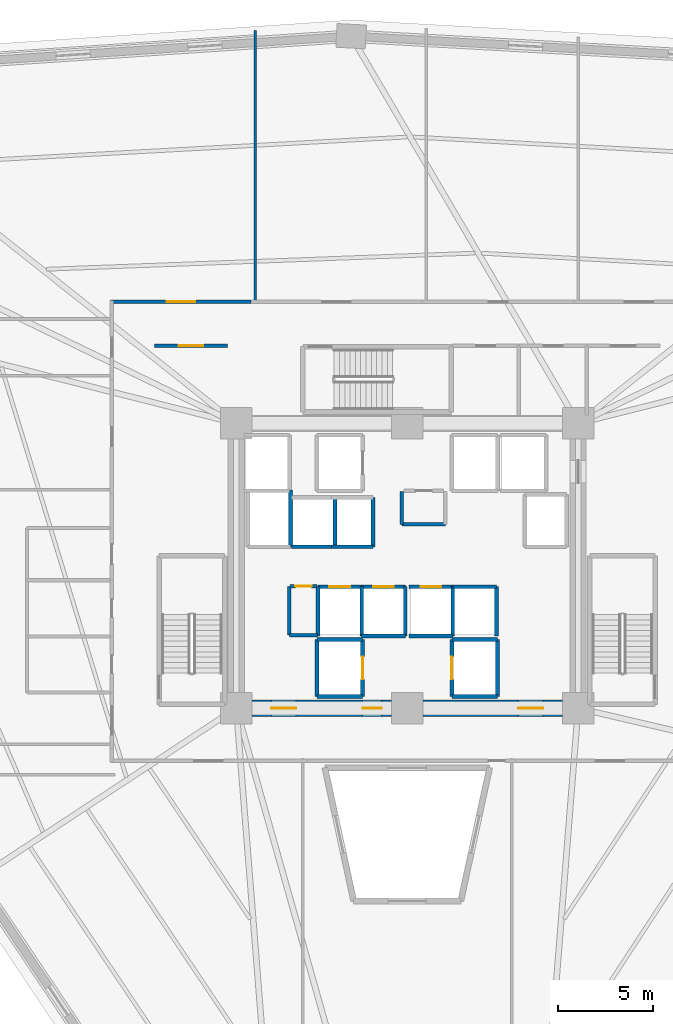
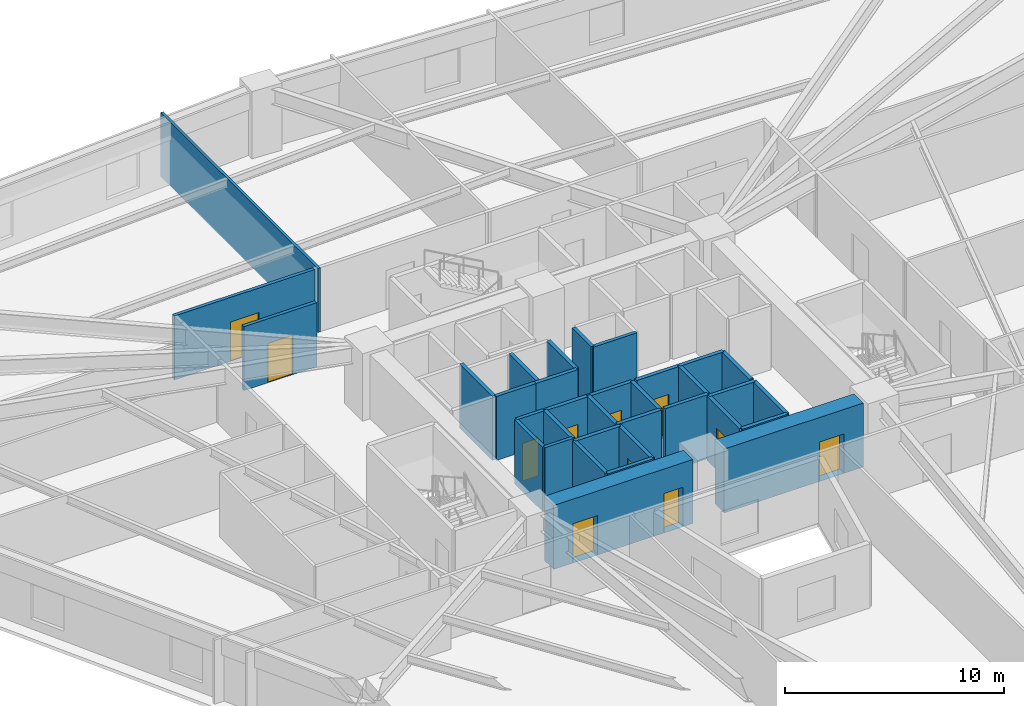
# One storey, part 5 of 11: 34 walls, 11 doors, 11 openings.
"""IFC4 building model written with IfcOpenShell, lengths in metres."""

from ifc_helpers import new_model, si_unit, direction, frame, frame_2d, origin, place, context, subcontext, project, spatial, rectangle, extrude, source, transform, mapped, material, layer, layer_set, type_object, element, fill, save


model = new_model("IFC4")

# Units and contexts
model_context = context("Model", 3, precision=1e-05, world=origin(), true_north=direction((0.0, 1.0)))
body_context = subcontext(model_context, "Body", "Model", "MODEL_VIEW")
ifc_project = project(units=[si_unit("LENGTHUNIT", "METRE"), si_unit("AREAUNIT", "SQUARE_METRE"), si_unit("VOLUMEUNIT", "CUBIC_METRE"), si_unit("PLANEANGLEUNIT", "RADIAN"), si_unit("MASSUNIT", "GRAM", prefix="KILO")], contexts=[model_context])

# Site, building, storey
site_placement = place(None, origin())
site = spatial("IfcSite", under=ifc_project, at=site_placement, CompositionType="ELEMENT")
building_placement = place(site_placement, origin())
building = spatial("IfcBuilding", under=site, at=building_placement, Name="Liaohun Quay Tower", CompositionType="ELEMENT")
storey_placement = place(building_placement, frame((0.0, 0.0, 51.75)))
storey = spatial("IfcBuildingStorey", under=building, at=storey_placement, Name="L13", CompositionType="ELEMENT", Elevation=51.75)

# Wall, opening, door
ifc_material_1 = material(Name="Concrete C60", Category="concrete")
ifc_layer_1 = layer(ifc_material_1, 0.85009765625, Name="Concrete C60", Category="concrete")
ifc_layer_set_1 = layer_set([ifc_layer_1], Name="Concrete C60")
wall_type_1 = type_object("IfcWallType", Name="WAL-COR-Z1", PredefinedType="SHEAR", material=ifc_layer_set_1)
wall_1_placement = place(storey_placement, frame((68.175048828125, 46.5, 0.0), z_axis=(0.0, 0.0, 1.0), x_axis=(-1.0, 0.0, 0.0)))
wall_1 = element("IfcWall", 1, at=wall_1_placement, inside=storey, type_object=wall_type_1, Name="L13 Central Core Shear Wall S-E", PredefinedType="SHEAR", context=body_context, shape_type="SweptSolid", body=[
    extrude(rectangle(XDim=7.35009765625, YDim=0.85009765625, at=frame_2d((3.675048828125, 0.0))), origin(), (0.0, 0.0, 1.0), 3.570068359375),
])
shared_shape_1 = source(origin(), body_context, "Body", "SweptSolid", [
    extrude(rectangle(XDim=1.300048828125, YDim=2.199951171875, at=frame_2d((0.64990234375, 1.10009765625))), frame((0.0, 0.43505859375, 0.0), z_axis=(0.0, -1.0, 0.0), x_axis=(1.0, 0.0, 0.0)), (0.0, 0.0, 1.0), 0.8701171875),
])
opening_1_placement = place(wall_1_placement, frame((1.02490234375, 0.0, 0.0)))
opening_1 = element("IfcOpeningElement", 2, at=opening_1_placement, cuts=wall_1, Name="Opening FD1", PredefinedType="OPENING", context=body_context, shape_type="MappedRepresentation", body=[
    mapped(shared_shape_1, transform((0.0, 0.0, 0.0), x_axis=(1.0, 0.0, 0.0), y_axis=(0.0, 1.0, 0.0), z_axis=(0.0, 0.0, 1.0), scale=1.0)),
])
ifc_material_2 = material(Name="Galvanised steel smokeproof fire door", Category="steel")
door_type_1 = type_object("IfcDoorType", Name="DOR-FFL-1300", OperationType="NOTDEFINED", PredefinedType="DOOR", material=ifc_material_2)
shared_shape_2 = source(origin(), body_context, "Body", "SweptSolid", [
    extrude(rectangle(XDim=1.300048828125, YDim=2.199951171875, at=frame_2d((0.64990234375, 1.10009765625))), frame((0.0, 0.02490234375, 0.0), z_axis=(0.0, -1.0, 0.0), x_axis=(1.0, 0.0, 0.0)), (0.0, 0.0, 1.0), 0.050048828125),
])
door_1_placement = place(opening_1_placement, origin())
door_1 = element("IfcDoor", 3, at=door_1_placement, inside=storey, type_object=door_type_1, Name="L13 East Core Lift Lobby Smokeproof Door", OperationType="SINGLE_SWING_LEFT", OverallHeight=2.199951171875, OverallWidth=1.300048828125, PredefinedType="DOOR", context=body_context, shape_type="MappedRepresentation", body=[
    mapped(shared_shape_2, transform((0.0, 0.0, 0.0), x_axis=(1.0, 0.0, 0.0), y_axis=(0.0, 1.0, 0.0), z_axis=(0.0, 0.0, 1.0), scale=1.0)),
])
fill(opening_1, door_1)

# Wall, openings, doors
wall_2_placement = place(storey_placement, frame((59.175048828125, 46.5, 0.0), z_axis=(0.0, 0.0, 1.0), x_axis=(-1.0, 0.0, 0.0)))
wall_2 = element("IfcWall", 4, at=wall_2_placement, inside=storey, type_object=wall_type_1, Name="L13 Central Core Shear Wall S-W", PredefinedType="SHEAR", context=body_context, shape_type="SweptSolid", body=[
    extrude(rectangle(XDim=7.35009765625, YDim=0.85009765625, at=frame_2d((3.675048828125, 0.0))), origin(), (0.0, 0.0, 1.0), 3.570068359375),
])
opening_2_placement = place(wall_2_placement, frame((5.02490234375, 0.0, 0.0)))
opening_2 = element("IfcOpeningElement", 5, at=opening_2_placement, cuts=wall_2, Name="Opening FD1", PredefinedType="OPENING", context=body_context, shape_type="MappedRepresentation", body=[
    mapped(shared_shape_1, transform((0.0, 0.0, 0.0), x_axis=(1.0, 0.0, 0.0), y_axis=(0.0, 1.0, 0.0), z_axis=(0.0, 0.0, 1.0), scale=1.0)),
])
shared_shape_3 = source(origin(), body_context, "Body", "SweptSolid", [
    extrude(rectangle(XDim=1.0, YDim=2.199951171875, at=frame_2d((0.5, 1.10009765625))), frame((0.0, 0.43505859375, 0.0), z_axis=(0.0, -1.0, 0.0), x_axis=(1.0, 0.0, 0.0)), (0.0, 0.0, 1.0), 0.8701171875),
])
opening_3_placement = place(wall_2_placement, frame((0.52490234375, 0.0, 0.0)))
opening_3 = element("IfcOpeningElement", 6, at=opening_3_placement, cuts=wall_2, Name="Opening FD2", PredefinedType="OPENING", context=body_context, shape_type="MappedRepresentation", body=[
    mapped(shared_shape_3, transform((0.0, 0.0, 0.0), x_axis=(1.0, 0.0, 0.0), y_axis=(0.0, 1.0, 0.0), z_axis=(0.0, 0.0, 1.0), scale=1.0)),
])
door_2_placement = place(opening_2_placement, origin())
door_2 = element("IfcDoor", 7, at=door_2_placement, inside=storey, type_object=door_type_1, Name="L13 West Core Lift Lobby Smokeproof Door", OperationType="SINGLE_SWING_RIGHT", OverallHeight=2.199951171875, OverallWidth=1.300048828125, PredefinedType="DOOR", context=body_context, shape_type="MappedRepresentation", body=[
    mapped(shared_shape_2, transform((0.0, 0.0, 0.0), x_axis=(1.0, 0.0, 0.0), y_axis=(0.0, 1.0, 0.0), z_axis=(0.0, 0.0, 1.0), scale=1.0)),
])
fill(opening_2, door_2)
ifc_material_3 = material(Name="Galvanised steel smokeproof lobby fire door", Category="steel")
door_type_2 = type_object("IfcDoorType", Name="DOR-FFL-1000", OperationType="NOTDEFINED", PredefinedType="DOOR", material=ifc_material_3)
shared_shape_4 = source(origin(), body_context, "Body", "SweptSolid", [
    extrude(rectangle(XDim=1.0, YDim=2.199951171875, at=frame_2d((0.5, 1.10009765625))), frame((0.0, 0.02490234375, 0.0), z_axis=(0.0, -1.0, 0.0), x_axis=(1.0, 0.0, 0.0)), (0.0, 0.0, 1.0), 0.050048828125),
])
door_3_placement = place(opening_3_placement, origin())
door_3 = element("IfcDoor", 8, at=door_3_placement, inside=storey, type_object=door_type_2, Name="L13 South Firefighting Lobby Smokeproof Door", OperationType="SINGLE_SWING_LEFT", OverallHeight=2.199951171875, OverallWidth=1.0, PredefinedType="DOOR", context=body_context, shape_type="MappedRepresentation", body=[
    mapped(shared_shape_4, transform((0.0, 0.0, 0.0), x_axis=(1.0, 0.0, 0.0), y_axis=(0.0, 1.0, 0.0), z_axis=(0.0, 0.0, 1.0), scale=1.0)),
])
fill(opening_3, door_3)

# Wall, opening, door
ifc_material_4 = material(Name="Autoclaved aerated concrete blockwork", Category="masonry")
ifc_layer_2 = layer(ifc_material_4, 0.179931640625, Name="Autoclaved aerated concrete blockwork", Category="masonry")
ifc_layer_set_2 = layer_set([ifc_layer_2], Name="Autoclaved aerated concrete blockwork")
wall_type_2 = type_object("IfcWallType", Name="WAL-PRT-COR", PredefinedType="PARTITIONING", material=ifc_layer_set_2)
wall_3_placement = place(storey_placement, frame((53.820068359375, 52.919921875, 0.0), z_axis=(0.0, 0.0, 1.0), x_axis=(1.0, 0.0, 0.0)))
wall_3 = element("IfcWall", 9, at=wall_3_placement, inside=storey, type_object=wall_type_2, Name="L13 Interior Partition Wall 002", PredefinedType="PARTITIONING", context=body_context, shape_type="SweptSolid", body=[
    extrude(rectangle(XDim=1.429931640625, YDim=0.179931640625, at=frame_2d((0.71484375, 0.0))), origin(), (0.0, 0.0, 1.0), 3.570068359375),
])
shared_shape_5 = source(origin(), body_context, "Body", "SweptSolid", [
    extrude(rectangle(XDim=0.85009765625, YDim=2.10009765625, at=frame_2d((0.425048828125, 1.050048828125))), frame((0.0, 0.099853515625, 0.0), z_axis=(0.0, -1.0, 0.0), x_axis=(1.0, 0.0, 0.0)), (0.0, 0.0, 1.0), 0.199951171875),
])
opening_4_placement = place(wall_3_placement, frame((0.2900390625, 0.0, 0.0)))
opening_4 = element("IfcOpeningElement", 10, at=opening_4_placement, cuts=wall_3, Name="Opening AD1", PredefinedType="OPENING", context=body_context, shape_type="MappedRepresentation", body=[
    mapped(shared_shape_5, transform((0.0, 0.0, 0.0), x_axis=(1.0, 0.0, 0.0), y_axis=(0.0, 1.0, 0.0), z_axis=(0.0, 0.0, 1.0), scale=1.0)),
])
ifc_material_5 = material(Name="Steel riser inspection fire door", Category="steel")
door_type_3 = type_object("IfcDoorType", Name="DOR-SHF-850", OperationType="NOTDEFINED", PredefinedType="DOOR", material=ifc_material_5)
shared_shape_6 = source(origin(), body_context, "Body", "SweptSolid", [
    extrude(rectangle(XDim=0.85009765625, YDim=2.10009765625, at=frame_2d((0.425048828125, 1.050048828125))), frame((0.0, 0.02490234375, 0.0), z_axis=(0.0, -1.0, 0.0), x_axis=(1.0, 0.0, 0.0)), (0.0, 0.0, 1.0), 0.050048828125),
])
door_4_placement = place(opening_4_placement, origin())
door_4 = element("IfcDoor", 11, at=door_4_placement, inside=storey, type_object=door_type_3, Name="L13 Mechanical Smoke Duct Room Door", OperationType="SINGLE_SWING_LEFT", OverallHeight=2.10009765625, OverallWidth=0.85009765625, PredefinedType="DOOR", context=body_context, shape_type="MappedRepresentation", body=[
    mapped(shared_shape_6, transform((0.0, 0.0, 0.0), x_axis=(1.0, 0.0, 0.0), y_axis=(0.0, 1.0, 0.0), z_axis=(0.0, 0.0, 1.0), scale=1.0)),
])
fill(opening_4, door_4)

wall_4_placement = place(storey_placement, frame((46.699951171875, 65.580078125, 0.0), z_axis=(0.0, 0.0, 1.0), x_axis=(1.0, 0.0, 0.0)))
wall_4 = element("IfcWall", 12, at=wall_4_placement, inside=storey, type_object=wall_type_2, Name="L13 Interior Partition Wall 008", PredefinedType="PARTITIONING", context=body_context, shape_type="SweptSolid", body=[
    extrude(rectangle(XDim=3.840087890625, YDim=0.179931640625, at=frame_2d((1.919921875, 0.0))), origin(), (0.0, 0.0, 1.0), 3.570068359375),
])
shared_shape_7 = source(origin(), body_context, "Body", "SweptSolid", [
    extrude(rectangle(XDim=1.300048828125, YDim=2.199951171875, at=frame_2d((0.64990234375, 1.10009765625))), frame((0.0, 0.099853515625, 0.0), z_axis=(0.0, -1.0, 0.0), x_axis=(1.0, 0.0, 0.0)), (0.0, 0.0, 1.0), 0.199951171875),
])
opening_5_placement = place(wall_4_placement, frame((1.27001953125, 0.0, 0.0)))
opening_5 = element("IfcOpeningElement", 13, at=opening_5_placement, cuts=wall_4, Name="Opening FD1", PredefinedType="OPENING", context=body_context, shape_type="MappedRepresentation", body=[
    mapped(shared_shape_7, transform((0.0, 0.0, 0.0), x_axis=(1.0, 0.0, 0.0), y_axis=(0.0, 1.0, 0.0), z_axis=(0.0, 0.0, 1.0), scale=1.0)),
])
door_5_placement = place(opening_5_placement, origin())
door_5 = element("IfcDoor", 14, at=door_5_placement, inside=storey, type_object=door_type_1, Name="L13 West Core Vestibule Door", OperationType="SINGLE_SWING_LEFT", OverallHeight=2.199951171875, OverallWidth=1.300048828125, PredefinedType="DOOR", context=body_context, shape_type="MappedRepresentation", body=[
    mapped(shared_shape_2, transform((0.0, 0.0, 0.0), x_axis=(1.0, 0.0, 0.0), y_axis=(0.0, 1.0, 0.0), z_axis=(0.0, 0.0, 1.0), scale=1.0)),
])
fill(opening_5, door_5)

wall_5_placement = place(storey_placement, frame((44.3701171875, 67.909912109375, 0.0), z_axis=(0.0, 0.0, 1.0), x_axis=(1.0, 0.0, 0.0)))
wall_5 = element("IfcWall", 15, at=wall_5_placement, inside=storey, type_object=wall_type_2, Name="L13 Interior Partition Wall 015", PredefinedType="PARTITIONING", context=body_context, shape_type="SweptSolid", body=[
    extrude(rectangle(XDim=7.414794921875, YDim=0.179931640625, at=frame_2d((3.70751953125, 0.0))), origin(), (0.0, 0.0, 1.0), 3.570068359375),
])
shared_shape_8 = source(origin(), body_context, "Body", "SweptSolid", [
    extrude(rectangle(XDim=1.5, YDim=2.199951171875, at=frame_2d((0.75, 1.10009765625))), frame((0.0, 0.099853515625, 0.0), z_axis=(0.0, -1.0, 0.0), x_axis=(1.0, 0.0, 0.0)), (0.0, 0.0, 1.0), 0.199951171875),
])
opening_6_placement = place(wall_5_placement, frame((2.95703125, 0.0, 0.0)))
opening_6 = element("IfcOpeningElement", 16, at=opening_6_placement, cuts=wall_5, Name="Opening OD2", PredefinedType="OPENING", context=body_context, shape_type="MappedRepresentation", body=[
    mapped(shared_shape_8, transform((0.0, 0.0, 0.0), x_axis=(1.0, 0.0, 0.0), y_axis=(0.0, 1.0, 0.0), z_axis=(0.0, 0.0, 1.0), scale=1.0)),
])
ifc_material_6 = material(Name="Acoustic oak veneer double door")
door_type_4 = type_object("IfcDoorType", Name="DOR-OFF-1500", OperationType="DOUBLE_DOOR_SINGLE_SWING", PredefinedType="DOOR", material=ifc_material_6)
shared_shape_9 = source(origin(), body_context, "Body", "SweptSolid", [
    extrude(rectangle(XDim=1.5, YDim=2.199951171875, at=frame_2d((0.75, 1.10009765625))), frame((0.0, 0.02490234375, 0.0), z_axis=(0.0, -1.0, 0.0), x_axis=(1.0, 0.0, 0.0)), (0.0, 0.0, 1.0), 0.050048828125),
])
door_6_placement = place(opening_6_placement, origin())
door_6 = element("IfcDoor", 17, at=door_6_placement, inside=storey, type_object=door_type_4, Name="L13 Staff Tea Kitchen and Pantry 06 Door", OperationType="DOUBLE_DOOR_SINGLE_SWING", OverallHeight=2.199951171875, OverallWidth=1.5, PredefinedType="DOOR", context=body_context, shape_type="MappedRepresentation", body=[
    mapped(shared_shape_9, transform((0.0, 0.0, 0.0), x_axis=(1.0, 0.0, 0.0), y_axis=(0.0, 1.0, 0.0), z_axis=(0.0, 0.0, 1.0), scale=1.0)),
])
fill(opening_6, door_6)

# Walls
wall_6_placement = place(storey_placement, frame((59.719970703125, 56.179931640625, 0.0), z_axis=(0.0, 0.0, 1.0), x_axis=(0.0, 1.0, 0.0)))
element("IfcWall", 18, at=wall_6_placement, inside=storey, type_object=wall_type_2, Name="L13 Interior Partition Wall 024", PredefinedType="PARTITIONING", context=body_context, shape_type="SweptSolid", body=[
    extrude(rectangle(XDim=1.739990234375, YDim=0.179931640625, at=frame_2d((0.8701171875, 0.0))), origin(), (0.0, 0.0, 1.0), 3.570068359375),
])
wall_7_placement = place(storey_placement, frame((59.719970703125, 56.179931640625, 0.0), z_axis=(0.0, 0.0, 1.0), x_axis=(1.0, 0.0, 0.0)))
element("IfcWall", 19, at=wall_7_placement, inside=storey, type_object=wall_type_2, Name="L13 Interior Partition Wall 026", PredefinedType="PARTITIONING", context=body_context, shape_type="SweptSolid", body=[
    extrude(rectangle(XDim=2.2900390625, YDim=0.179931640625, at=frame_2d((1.14501953125, 0.0))), origin(), (0.0, 0.0, 1.0), 3.570068359375),
])
wall_8_placement = place(storey_placement, frame((53.7900390625, 50.35009765625, 0.0), z_axis=(0.0, 0.0, 1.0), x_axis=(0.0, 1.0, 0.0)))
element("IfcWall", 20, at=wall_8_placement, inside=storey, type_object=wall_type_2, Name="L13 Interior Partition Wall 027", PredefinedType="PARTITIONING", context=body_context, shape_type="SweptSolid", body=[
    extrude(rectangle(XDim=2.56982421875, YDim=0.179931640625, at=frame_2d((1.284912109375, 0.0))), origin(), (0.0, 0.0, 1.0), 3.570068359375),
])
wall_9_placement = place(storey_placement, frame((53.7900390625, 50.35009765625, 0.0), z_axis=(0.0, 0.0, 1.0), x_axis=(1.0, 0.0, 0.0)))
element("IfcWall", 21, at=wall_9_placement, inside=storey, type_object=wall_type_2, Name="L13 Interior Partition Wall 028", PredefinedType="PARTITIONING", context=body_context, shape_type="SweptSolid", body=[
    extrude(rectangle(XDim=1.489990234375, YDim=0.179931640625, at=frame_2d((0.7451171875, 0.0))), origin(), (0.0, 0.0, 1.0), 3.570068359375),
])
ifc_material_7 = material(Name="Gypsum board on twin steel studs", Category="steel")
ifc_layer_3 = layer(ifc_material_7, 0.139892578125, Name="Gypsum board on twin steel studs", Category="steel")
ifc_layer_set_3 = layer_set([ifc_layer_3], Name="Gypsum board on twin steel studs")
wall_type_3 = type_object("IfcWallType", Name="WAL-PRT-OFF", PredefinedType="PARTITIONING", material=ifc_layer_set_3)
wall_10_placement = place(storey_placement, frame((52.0, 67.81005859375, 0.0), z_axis=(0.0, 0.0, 1.0), x_axis=(0.0, 1.0, 0.0)))
element("IfcWall", 22, at=wall_10_placement, inside=storey, type_object=wall_type_3, Name="L13 Interior Partition Wall 051", PredefinedType="PARTITIONING", context=body_context, shape_type="SweptSolid", body=[
    extrude(rectangle(XDim=14.373046875, YDim=0.139892578125, at=frame_2d((7.1865234375, 0.0))), origin(), (0.0, 0.0, 1.0), 3.570068359375),
])
ifc_material_8 = material(Name="Concrete C50", Category="concrete")
ifc_layer_4 = layer(ifc_material_8, 0.239990234375, Name="Concrete C50", Category="concrete")
ifc_layer_set_4 = layer_set([ifc_layer_4], Name="Concrete C50")
wall_type_4 = type_object("IfcWallType", Name="WAL-SHF-200", PredefinedType="SOLIDWALL", material=ifc_layer_set_4)
wall_11_placement = place(storey_placement, frame((55.25, 47.1201171875, 0.0), z_axis=(0.0, 0.0, 1.0), x_axis=(1.0, 0.0, 0.0)))
element("IfcWall", 23, at=wall_11_placement, inside=storey, type_object=wall_type_4, Name="L13 Lift FF-01 Hoistway Wall S", PredefinedType="SOLIDWALL", context=body_context, shape_type="SweptSolid", body=[
    extrude(rectangle(XDim=2.39990234375, YDim=0.199951171875, at=frame_2d((1.199951171875, 0.0))), origin(), (0.0, 0.0, 1.0), 3.570068359375),
])

# Wall, opening, door
wall_12_placement = place(storey_placement, frame((57.64990234375, 47.1201171875, 0.0), z_axis=(0.0, 0.0, 1.0), x_axis=(0.0, 1.0, 0.0)))
wall_12 = element("IfcWall", 24, at=wall_12_placement, inside=storey, type_object=wall_type_4, Name="L13 Lift FF-01 Hoistway Wall E", PredefinedType="SOLIDWALL", context=body_context, shape_type="SweptSolid", body=[
    extrude(rectangle(XDim=3.0, YDim=0.199951171875, at=frame_2d((1.5, 0.0))), origin(), (0.0, 0.0, 1.0), 3.570068359375),
])
shared_shape_10 = source(origin(), body_context, "Body", "SweptSolid", [
    extrude(rectangle(XDim=1.199951171875, YDim=2.300048828125, at=frame_2d((0.60009765625, 1.14990234375))), frame((0.0, 0.10986328125, 0.0), z_axis=(0.0, -1.0, 0.0), x_axis=(1.0, 0.0, 0.0)), (0.0, 0.0, 1.0), 0.219970703125),
])
opening_7_placement = place(wall_12_placement, frame((0.89990234375, 0.0, 0.0)))
opening_7 = element("IfcOpeningElement", 25, at=opening_7_placement, cuts=wall_12, Name="Opening LD2", PredefinedType="OPENING", context=body_context, shape_type="MappedRepresentation", body=[
    mapped(shared_shape_10, transform((0.0, 0.0, 0.0), x_axis=(1.0, 0.0, 0.0), y_axis=(0.0, 1.0, 0.0), z_axis=(0.0, 0.0, 1.0), scale=1.0)),
])
ifc_material_9 = material(Name="Brushed stainless steel stretcher landing door", Category="steel")
door_type_5 = type_object("IfcDoorType", Name="DOR-LFT-1200", OperationType="SLIDING_TO_LEFT", PredefinedType="DOOR", material=ifc_material_9)
shared_shape_11 = source(origin(), body_context, "Body", "SweptSolid", [
    extrude(rectangle(XDim=1.199951171875, YDim=2.300048828125, at=frame_2d((0.60009765625, 1.14990234375))), frame((0.0, 0.02490234375, 0.0), z_axis=(0.0, -1.0, 0.0), x_axis=(1.0, 0.0, 0.0)), (0.0, 0.0, 1.0), 0.050048828125),
])
door_7_placement = place(opening_7_placement, origin())
door_7 = element("IfcDoor", 26, at=door_7_placement, inside=storey, type_object=door_type_5, Name="L13 Lift FF-01 Sliding Landing Door", OperationType="SLIDING_TO_LEFT", OverallHeight=2.300048828125, OverallWidth=1.199951171875, PredefinedType="DOOR", context=body_context, shape_type="MappedRepresentation", body=[
    mapped(shared_shape_11, transform((0.0, 0.0, 0.0), x_axis=(1.0, 0.0, 0.0), y_axis=(0.0, 1.0, 0.0), z_axis=(0.0, 0.0, 1.0), scale=1.0)),
])
fill(opening_7, door_7)

# Walls
wall_13_placement = place(storey_placement, frame((57.64990234375, 50.1201171875, 0.0), z_axis=(0.0, 0.0, 1.0), x_axis=(-1.0, 0.0, 0.0)))
element("IfcWall", 27, at=wall_13_placement, inside=storey, type_object=wall_type_4, Name="L13 Lift FF-01 Hoistway Wall N", PredefinedType="SOLIDWALL", context=body_context, shape_type="SweptSolid", body=[
    extrude(rectangle(XDim=2.39990234375, YDim=0.199951171875, at=frame_2d((1.199951171875, 0.0))), origin(), (0.0, 0.0, 1.0), 3.570068359375),
])
wall_14_placement = place(storey_placement, frame((55.25, 50.1201171875, 0.0), z_axis=(0.0, 0.0, 1.0), x_axis=(0.0, -1.0, 0.0)))
element("IfcWall", 28, at=wall_14_placement, inside=storey, type_object=wall_type_4, Name="L13 Lift FF-01 Hoistway Wall W", PredefinedType="SOLIDWALL", context=body_context, shape_type="SweptSolid", body=[
    extrude(rectangle(XDim=3.0, YDim=0.199951171875, at=frame_2d((1.5, 0.0))), origin(), (0.0, 0.0, 1.0), 3.570068359375),
])
wall_15_placement = place(storey_placement, frame((62.35009765625, 47.1201171875, 0.0), z_axis=(0.0, 0.0, 1.0), x_axis=(1.0, 0.0, 0.0)))
element("IfcWall", 29, at=wall_15_placement, inside=storey, type_object=wall_type_4, Name="L13 Lift FF-02 Hoistway Wall S", PredefinedType="SOLIDWALL", context=body_context, shape_type="SweptSolid", body=[
    extrude(rectangle(XDim=2.39990234375, YDim=0.199951171875, at=frame_2d((1.199951171875, 0.0))), origin(), (0.0, 0.0, 1.0), 3.570068359375),
])
wall_16_placement = place(storey_placement, frame((64.75, 47.1201171875, 0.0), z_axis=(0.0, 0.0, 1.0), x_axis=(0.0, 1.0, 0.0)))
element("IfcWall", 30, at=wall_16_placement, inside=storey, type_object=wall_type_4, Name="L13 Lift FF-02 Hoistway Wall E", PredefinedType="SOLIDWALL", context=body_context, shape_type="SweptSolid", body=[
    extrude(rectangle(XDim=3.0, YDim=0.199951171875, at=frame_2d((1.5, 0.0))), origin(), (0.0, 0.0, 1.0), 3.570068359375),
])
wall_17_placement = place(storey_placement, frame((64.75, 50.1201171875, 0.0), z_axis=(0.0, 0.0, 1.0), x_axis=(-1.0, 0.0, 0.0)))
element("IfcWall", 31, at=wall_17_placement, inside=storey, type_object=wall_type_4, Name="L13 Lift FF-02 Hoistway Wall N", PredefinedType="SOLIDWALL", context=body_context, shape_type="SweptSolid", body=[
    extrude(rectangle(XDim=2.39990234375, YDim=0.199951171875, at=frame_2d((1.199951171875, 0.0))), origin(), (0.0, 0.0, 1.0), 3.570068359375),
])

# Wall, opening, door
wall_18_placement = place(storey_placement, frame((62.35009765625, 50.1201171875, 0.0), z_axis=(0.0, 0.0, 1.0), x_axis=(0.0, -1.0, 0.0)))
wall_18 = element("IfcWall", 32, at=wall_18_placement, inside=storey, type_object=wall_type_4, Name="L13 Lift FF-02 Hoistway Wall W", PredefinedType="SOLIDWALL", context=body_context, shape_type="SweptSolid", body=[
    extrude(rectangle(XDim=3.0, YDim=0.199951171875, at=frame_2d((1.5, 0.0))), origin(), (0.0, 0.0, 1.0), 3.570068359375),
])
opening_8_placement = place(wall_18_placement, frame((0.89990234375, 0.0, 0.0)))
opening_8 = element("IfcOpeningElement", 33, at=opening_8_placement, cuts=wall_18, Name="Opening LD2", PredefinedType="OPENING", context=body_context, shape_type="MappedRepresentation", body=[
    mapped(shared_shape_10, transform((0.0, 0.0, 0.0), x_axis=(1.0, 0.0, 0.0), y_axis=(0.0, 1.0, 0.0), z_axis=(0.0, 0.0, 1.0), scale=1.0)),
])
door_8_placement = place(opening_8_placement, origin())
door_8 = element("IfcDoor", 34, at=door_8_placement, inside=storey, type_object=door_type_5, Name="L13 Lift FF-02 Sliding Landing Door", OperationType="SLIDING_TO_LEFT", OverallHeight=2.300048828125, OverallWidth=1.199951171875, PredefinedType="DOOR", context=body_context, shape_type="MappedRepresentation", body=[
    mapped(shared_shape_11, transform((0.0, 0.0, 0.0), x_axis=(1.0, 0.0, 0.0), y_axis=(0.0, 1.0, 0.0), z_axis=(0.0, 0.0, 1.0), scale=1.0)),
])
fill(opening_8, door_8)

# Walls
wall_19_placement = place(storey_placement, frame((53.85009765625, 55.0, 0.0), z_axis=(0.0, 0.0, 1.0), x_axis=(0.0, 1.0, 0.0)))
element("IfcWall", 35, at=wall_19_placement, inside=storey, type_object=wall_type_4, Name="L13 Lift SH-02 Hoistway Wall E", PredefinedType="SOLIDWALL", context=body_context, shape_type="SweptSolid", body=[
    extrude(rectangle(XDim=3.0, YDim=0.199951171875, at=frame_2d((1.5, 0.0))), origin(), (0.0, 0.0, 1.0), 3.570068359375),
])
wall_20_placement = place(storey_placement, frame((57.60009765625, 50.300048828125, 0.0), z_axis=(0.0, 0.0, 1.0), x_axis=(0.0, 1.0, 0.0)))
element("IfcWall", 36, at=wall_20_placement, inside=storey, type_object=wall_type_4, Name="L13 Lift PL-1A Hoistway Wall E", PredefinedType="SOLIDWALL", context=body_context, shape_type="SweptSolid", body=[
    extrude(rectangle(XDim=2.599853515625, YDim=0.199951171875, at=frame_2d((1.2998046875, 0.0))), origin(), (0.0, 0.0, 1.0), 3.570068359375),
])

# Wall, opening, door
wall_21_placement = place(storey_placement, frame((57.60009765625, 52.89990234375, 0.0), z_axis=(0.0, 0.0, 1.0), x_axis=(-1.0, 0.0, 0.0)))
wall_21 = element("IfcWall", 37, at=wall_21_placement, inside=storey, type_object=wall_type_4, Name="L13 Lift PL-1A Hoistway Wall N", PredefinedType="SOLIDWALL", context=body_context, shape_type="SweptSolid", body=[
    extrude(rectangle(XDim=2.300048828125, YDim=0.199951171875, at=frame_2d((1.14990234375, 0.0))), origin(), (0.0, 0.0, 1.0), 3.570068359375),
])
shared_shape_12 = source(origin(), body_context, "Body", "SweptSolid", [
    extrude(rectangle(XDim=1.10009765625, YDim=2.199951171875, at=frame_2d((0.550048828125, 1.10009765625))), frame((0.0, 0.10986328125, 0.0), z_axis=(0.0, -1.0, 0.0), x_axis=(1.0, 0.0, 0.0)), (0.0, 0.0, 1.0), 0.219970703125),
])
opening_9_placement = place(wall_21_placement, frame((0.60009765625, 0.0, 0.0)))
opening_9 = element("IfcOpeningElement", 38, at=opening_9_placement, cuts=wall_21, Name="Opening LD1", PredefinedType="OPENING", context=body_context, shape_type="MappedRepresentation", body=[
    mapped(shared_shape_12, transform((0.0, 0.0, 0.0), x_axis=(1.0, 0.0, 0.0), y_axis=(0.0, 1.0, 0.0), z_axis=(0.0, 0.0, 1.0), scale=1.0)),
])
ifc_material_10 = material(Name="Brushed stainless steel landing door", Category="steel")
door_type_6 = type_object("IfcDoorType", Name="DOR-LFT-1100", OperationType="SLIDING_TO_LEFT", PredefinedType="DOOR", material=ifc_material_10)
shared_shape_13 = source(origin(), body_context, "Body", "SweptSolid", [
    extrude(rectangle(XDim=1.10009765625, YDim=2.199951171875, at=frame_2d((0.550048828125, 1.10009765625))), frame((0.0, 0.02490234375, 0.0), z_axis=(0.0, -1.0, 0.0), x_axis=(1.0, 0.0, 0.0)), (0.0, 0.0, 1.0), 0.050048828125),
])
door_9_placement = place(opening_9_placement, origin())
door_9 = element("IfcDoor", 39, at=door_9_placement, inside=storey, type_object=door_type_6, Name="L13 Lift PL-1A Sliding Landing Door", OperationType="SLIDING_TO_LEFT", OverallHeight=2.199951171875, OverallWidth=1.10009765625, PredefinedType="DOOR", context=body_context, shape_type="MappedRepresentation", body=[
    mapped(shared_shape_13, transform((0.0, 0.0, 0.0), x_axis=(1.0, 0.0, 0.0), y_axis=(0.0, 1.0, 0.0), z_axis=(0.0, 0.0, 1.0), scale=1.0)),
])
fill(opening_9, door_9)

# Walls
wall_22_placement = place(storey_placement, frame((55.300048828125, 52.89990234375, 0.0), z_axis=(0.0, 0.0, 1.0), x_axis=(0.0, -1.0, 0.0)))
element("IfcWall", 40, at=wall_22_placement, inside=storey, type_object=wall_type_4, Name="L13 Lift PL-1A Hoistway Wall W", PredefinedType="SOLIDWALL", context=body_context, shape_type="SweptSolid", body=[
    extrude(rectangle(XDim=2.599853515625, YDim=0.199951171875, at=frame_2d((1.2998046875, 0.0))), origin(), (0.0, 0.0, 1.0), 3.570068359375),
])
wall_23_placement = place(storey_placement, frame((57.60009765625, 50.300048828125, 0.0), z_axis=(0.0, 0.0, 1.0), x_axis=(1.0, 0.0, 0.0)))
element("IfcWall", 41, at=wall_23_placement, inside=storey, type_object=wall_type_4, Name="L13 Lift PL-1B Hoistway Wall S", PredefinedType="SOLIDWALL", context=body_context, shape_type="SweptSolid", body=[
    extrude(rectangle(XDim=2.2998046875, YDim=0.199951171875, at=frame_2d((1.14990234375, 0.0))), origin(), (0.0, 0.0, 1.0), 3.570068359375),
])
wall_24_placement = place(storey_placement, frame((59.89990234375, 50.300048828125, 0.0), z_axis=(0.0, 0.0, 1.0), x_axis=(0.0, 1.0, 0.0)))
element("IfcWall", 42, at=wall_24_placement, inside=storey, type_object=wall_type_4, Name="L13 Lift PL-1B Hoistway Wall E", PredefinedType="SOLIDWALL", context=body_context, shape_type="SweptSolid", body=[
    extrude(rectangle(XDim=2.599853515625, YDim=0.199951171875, at=frame_2d((1.2998046875, 0.0))), origin(), (0.0, 0.0, 1.0), 3.570068359375),
])

# Wall, opening, door
wall_25_placement = place(storey_placement, frame((59.89990234375, 52.89990234375, 0.0), z_axis=(0.0, 0.0, 1.0), x_axis=(-1.0, 0.0, 0.0)))
wall_25 = element("IfcWall", 43, at=wall_25_placement, inside=storey, type_object=wall_type_4, Name="L13 Lift PL-1B Hoistway Wall N", PredefinedType="SOLIDWALL", context=body_context, shape_type="SweptSolid", body=[
    extrude(rectangle(XDim=2.2998046875, YDim=0.199951171875, at=frame_2d((1.14990234375, 0.0))), origin(), (0.0, 0.0, 1.0), 3.570068359375),
])
opening_10_placement = place(wall_25_placement, frame((0.60009765625, 0.0, 0.0)))
opening_10 = element("IfcOpeningElement", 44, at=opening_10_placement, cuts=wall_25, Name="Opening LD1", PredefinedType="OPENING", context=body_context, shape_type="MappedRepresentation", body=[
    mapped(shared_shape_12, transform((0.0, 0.0, 0.0), x_axis=(1.0, 0.0, 0.0), y_axis=(0.0, 1.0, 0.0), z_axis=(0.0, 0.0, 1.0), scale=1.0)),
])
door_10_placement = place(opening_10_placement, origin())
door_10 = element("IfcDoor", 45, at=door_10_placement, inside=storey, type_object=door_type_6, Name="L13 Lift PL-1B Sliding Landing Door", OperationType="SLIDING_TO_LEFT", OverallHeight=2.199951171875, OverallWidth=1.10009765625, PredefinedType="DOOR", context=body_context, shape_type="MappedRepresentation", body=[
    mapped(shared_shape_13, transform((0.0, 0.0, 0.0), x_axis=(1.0, 0.0, 0.0), y_axis=(0.0, 1.0, 0.0), z_axis=(0.0, 0.0, 1.0), scale=1.0)),
])
fill(opening_10, door_10)

# Walls
wall_26_placement = place(storey_placement, frame((60.10009765625, 50.300048828125, 0.0), z_axis=(0.0, 0.0, 1.0), x_axis=(1.0, 0.0, 0.0)))
element("IfcWall", 46, at=wall_26_placement, inside=storey, type_object=wall_type_4, Name="L13 Lift PL-1C Hoistway Wall S", PredefinedType="SOLIDWALL", context=body_context, shape_type="SweptSolid", body=[
    extrude(rectangle(XDim=2.2998046875, YDim=0.199951171875, at=frame_2d((1.14990234375, 0.0))), origin(), (0.0, 0.0, 1.0), 3.570068359375),
])
wall_27_placement = place(storey_placement, frame((62.39990234375, 50.300048828125, 0.0), z_axis=(0.0, 0.0, 1.0), x_axis=(0.0, 1.0, 0.0)))
element("IfcWall", 47, at=wall_27_placement, inside=storey, type_object=wall_type_4, Name="L13 Lift PL-1C Hoistway Wall E", PredefinedType="SOLIDWALL", context=body_context, shape_type="SweptSolid", body=[
    extrude(rectangle(XDim=2.599853515625, YDim=0.199951171875, at=frame_2d((1.2998046875, 0.0))), origin(), (0.0, 0.0, 1.0), 3.570068359375),
])

# Wall, opening, door
wall_28_placement = place(storey_placement, frame((62.39990234375, 52.89990234375, 0.0), z_axis=(0.0, 0.0, 1.0), x_axis=(-1.0, 0.0, 0.0)))
wall_28 = element("IfcWall", 48, at=wall_28_placement, inside=storey, type_object=wall_type_4, Name="L13 Lift PL-1C Hoistway Wall N", PredefinedType="SOLIDWALL", context=body_context, shape_type="SweptSolid", body=[
    extrude(rectangle(XDim=2.2998046875, YDim=0.199951171875, at=frame_2d((1.14990234375, 0.0))), origin(), (0.0, 0.0, 1.0), 3.570068359375),
])
opening_11_placement = place(wall_28_placement, frame((0.60009765625, 0.0, 0.0)))
opening_11 = element("IfcOpeningElement", 49, at=opening_11_placement, cuts=wall_28, Name="Opening LD1", PredefinedType="OPENING", context=body_context, shape_type="MappedRepresentation", body=[
    mapped(shared_shape_12, transform((0.0, 0.0, 0.0), x_axis=(1.0, 0.0, 0.0), y_axis=(0.0, 1.0, 0.0), z_axis=(0.0, 0.0, 1.0), scale=1.0)),
])
door_11_placement = place(opening_11_placement, origin())
door_11 = element("IfcDoor", 50, at=door_11_placement, inside=storey, type_object=door_type_6, Name="L13 Lift PL-1C Sliding Landing Door", OperationType="SLIDING_TO_LEFT", OverallHeight=2.199951171875, OverallWidth=1.10009765625, PredefinedType="DOOR", context=body_context, shape_type="MappedRepresentation", body=[
    mapped(shared_shape_13, transform((0.0, 0.0, 0.0), x_axis=(1.0, 0.0, 0.0), y_axis=(0.0, 1.0, 0.0), z_axis=(0.0, 0.0, 1.0), scale=1.0)),
])
fill(opening_11, door_11)

# Walls
wall_29_placement = place(storey_placement, frame((64.699951171875, 50.300048828125, 0.0), z_axis=(0.0, 0.0, 1.0), x_axis=(0.0, 1.0, 0.0)))
element("IfcWall", 51, at=wall_29_placement, inside=storey, type_object=wall_type_4, Name="L13 Lift PL-2A Hoistway Wall E", PredefinedType="SOLIDWALL", context=body_context, shape_type="SweptSolid", body=[
    extrude(rectangle(XDim=2.599853515625, YDim=0.199951171875, at=frame_2d((1.2998046875, 0.0))), origin(), (0.0, 0.0, 1.0), 3.570068359375),
])
for number, where, z_axis, x_axis, name in (
    (52, (64.699951171875, 52.89990234375, 0.0), (0.0, 0.0, 1.0), (-1.0, 0.0, 0.0), "L13 Lift PL-2A Hoistway Wall N"),
    (53, (53.89990234375, 55.0, 0.0), (0.0, 0.0, 1.0), (1.0, 0.0, 0.0), "L13 Lift PL-2B Hoistway Wall S"),
):
    element("IfcWall", number, at=place(storey_placement, frame(where, z_axis=z_axis, x_axis=x_axis)), inside=storey, type_object=wall_type_4, Name=name, PredefinedType="SOLIDWALL", context=body_context, shape_type="SweptSolid", body=[
        extrude(rectangle(XDim=2.300048828125, YDim=0.199951171875, at=frame_2d((1.14990234375, 0.0))), origin(), (0.0, 0.0, 1.0), 3.570068359375),
    ])
wall_30_placement = place(storey_placement, frame((56.199951171875, 55.0, 0.0), z_axis=(0.0, 0.0, 1.0), x_axis=(0.0, 1.0, 0.0)))
element("IfcWall", 54, at=wall_30_placement, inside=storey, type_object=wall_type_4, Name="L13 Lift PL-2B Hoistway Wall E", PredefinedType="SOLIDWALL", context=body_context, shape_type="SweptSolid", body=[
    extrude(rectangle(XDim=2.60009765625, YDim=0.199951171875, at=frame_2d((1.300048828125, 0.0))), origin(), (0.0, 0.0, 1.0), 3.570068359375),
])
wall_31_placement = place(storey_placement, frame((56.0, 55.0, 0.0), z_axis=(0.0, 0.0, 1.0), x_axis=(1.0, 0.0, 0.0)))
element("IfcWall", 55, at=wall_31_placement, inside=storey, type_object=wall_type_4, Name="L13 Lift PL-2C Hoistway Wall S", PredefinedType="SOLIDWALL", context=body_context, shape_type="SweptSolid", body=[
    extrude(rectangle(XDim=2.199951171875, YDim=0.199951171875, at=frame_2d((1.10009765625, 0.0))), origin(), (0.0, 0.0, 1.0), 3.570068359375),
])
wall_32_placement = place(storey_placement, frame((58.199951171875, 55.0, 0.0), z_axis=(0.0, 0.0, 1.0), x_axis=(0.0, 1.0, 0.0)))
element("IfcWall", 56, at=wall_32_placement, inside=storey, type_object=wall_type_4, Name="L13 Lift PL-2C Hoistway Wall E", PredefinedType="SOLIDWALL", context=body_context, shape_type="SweptSolid", body=[
    extrude(rectangle(XDim=2.60009765625, YDim=0.199951171875, at=frame_2d((1.300048828125, 0.0))), origin(), (0.0, 0.0, 1.0), 3.570068359375),
])

save(model, "model.ifc")
